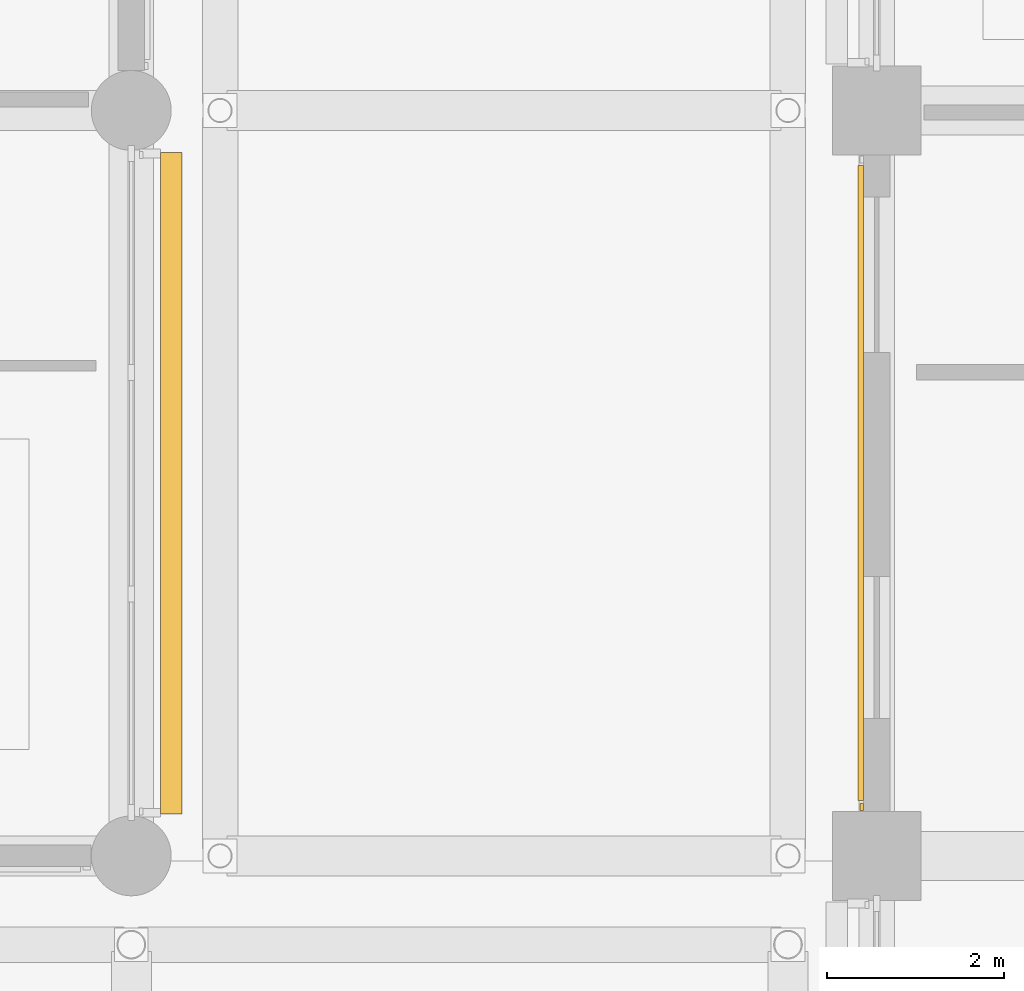
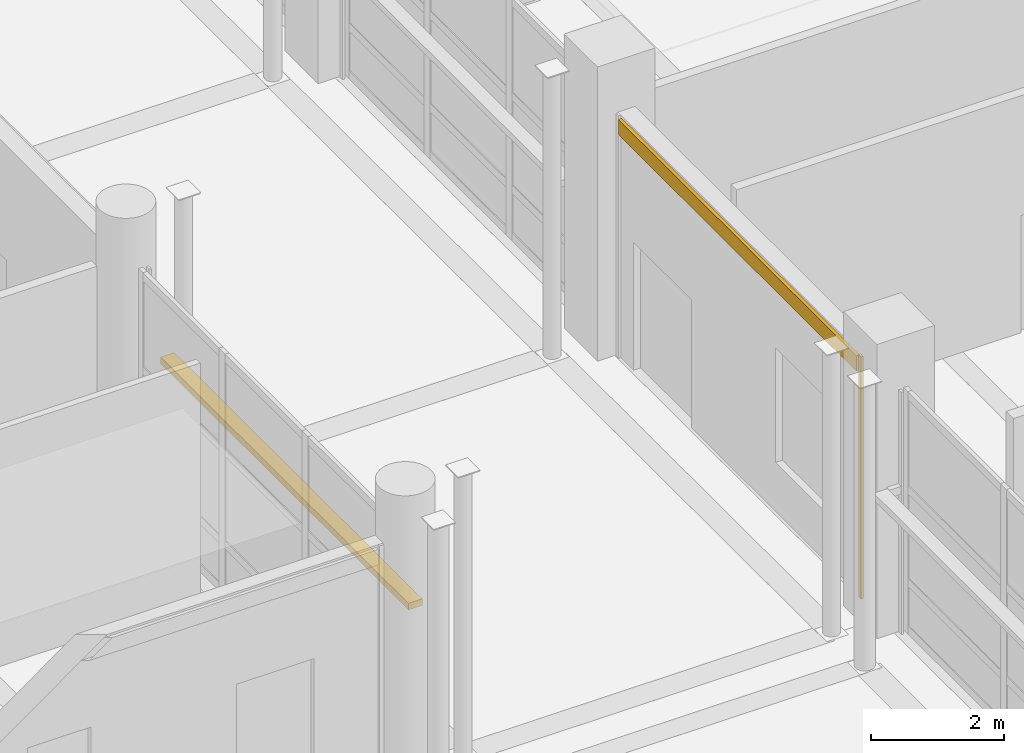
# One storey, part 99 of 140: 2 coverings, 1 shading device.
"""IFC4 building model written with IfcOpenShell, lengths in metres."""

from ifc_helpers import new_model, si_unit, direction, frame, origin, origin_2d, place, context, subcontext, project, spatial, rectangle, extrude, material, layer, layer_set, type_object, element, save


model = new_model("IFC4")

# Units and contexts
model_context = context("Model", 3, precision=1e-05, world=origin(), true_north=direction((0.0, 1.0)))
body_context = subcontext(model_context, "Body", "Model", "MODEL_VIEW")
ifc_project = project(units=[si_unit("LENGTHUNIT", "METRE"), si_unit("AREAUNIT", "SQUARE_METRE"), si_unit("VOLUMEUNIT", "CUBIC_METRE"), si_unit("PLANEANGLEUNIT", "RADIAN"), si_unit("MASSUNIT", "GRAM", prefix="KILO")], contexts=[model_context])

# Site, building, storey
site_placement = place(None, origin())
site = spatial("IfcSite", under=ifc_project, at=site_placement, CompositionType="ELEMENT")
building_placement = place(site_placement, origin())
building = spatial("IfcBuilding", under=site, at=building_placement, Name="Telukmera Botanical Conservatory", CompositionType="ELEMENT")
storey_placement = place(building_placement, origin())
storey = spatial("IfcBuildingStorey", under=building, at=storey_placement, Name="L00", CompositionType="ELEMENT", Elevation=0.0)

# Covering
ifc_material_1 = material(Name="Granite-faced precast concrete C40/50", Category="masonry")
ifc_layer_1 = layer(ifc_material_1, 0.0400390625)
ifc_layer_set_1 = layer_set([ifc_layer_1], Name="Granite-faced precast concrete C40/50")
covering_type_1 = type_object("IfcCoveringType", Name="Granite Precast Column Pier Reveal Casing", PredefinedType="CLADDING", material=ifc_layer_set_1)
covering_1_placement = place(storey_placement, frame((50.22998046875, 18.152099609375, 0.0), z_axis=(0.0, 0.0, 1.0), x_axis=(0.0, 1.0, 0.0)))
element("IfcCovering", 1, at=covering_1_placement, inside=storey, type_object=covering_type_1, Name="Granite Pier Reveal V4:L00:W2 L", PredefinedType="CLADDING", context=body_context, shape_type="SweptSolid", body=[
    extrude(rectangle(XDim=0.080078125, YDim=0.0400390625, at=origin_2d()), origin(), (0.0, 0.0, 1.0), 4.449951171875),
])

# Shading device
ifc_material_2 = material(Name="Perforated terracotta-anodised aluminium 6063-T6", Category="masonry")
ifc_layer_2 = layer(ifc_material_2, 0.044921875)
ifc_layer_set_2 = layer_set([ifc_layer_2], Name="Perforated terracotta-anodised aluminium 6063-T6")
shading_device_type = type_object("IfcShadingDeviceType", Name="Perforated Terracotta Aluminium Monsoon Brise Soleil", PredefinedType="JALOUSIE", material=ifc_layer_set_2)
shading_device_placement = place(storey_placement, frame((42.449951171875, 21.800048828125, 2.58984375), z_axis=(0.0, 0.0, 1.0), x_axis=(0.0, 1.0, 0.0)))
element("IfcShadingDevice", 2, at=shading_device_placement, inside=storey, type_object=shading_device_type, Name="Monsoon Shading BS01 V3:L00:E1", PredefinedType="JALOUSIE", context=body_context, shape_type="SweptSolid", body=[
    extrude(rectangle(XDim=7.4560546875, YDim=0.239990234375, at=origin_2d()), origin(), (0.0, 0.0, 1.0), 0.1201171875),
])

# Covering
ifc_material_3 = material(Name="Terracotta-faced precast concrete C40/50", Category="masonry")
ifc_layer_3 = layer(ifc_material_3, 0.06005859375)
ifc_layer_set_3 = layer_set([ifc_layer_3], Name="Terracotta-faced precast concrete C40/50")
covering_type_2 = type_object("IfcCoveringType", Name="Polychrome Terracotta Facade Band Cladding", PredefinedType="CLADDING", material=ifc_layer_set_3)
covering_2_placement = place(storey_placement, frame((50.219970703125, 21.800048828125, 4.1298828125), z_axis=(0.0, 0.0, 1.0), x_axis=(0.0, 1.0, 0.0)))
element("IfcCovering", 3, at=covering_2_placement, inside=storey, type_object=covering_type_2, Name="Polychrome Terracotta Band V4:L00:W2", PredefinedType="CLADDING", context=body_context, shape_type="SweptSolid", body=[
    extrude(rectangle(XDim=7.156005859375, YDim=0.06005859375, at=origin_2d()), origin(), (0.0, 0.0, 1.0), 0.280029296875),
])

save(model, "model.ifc")
